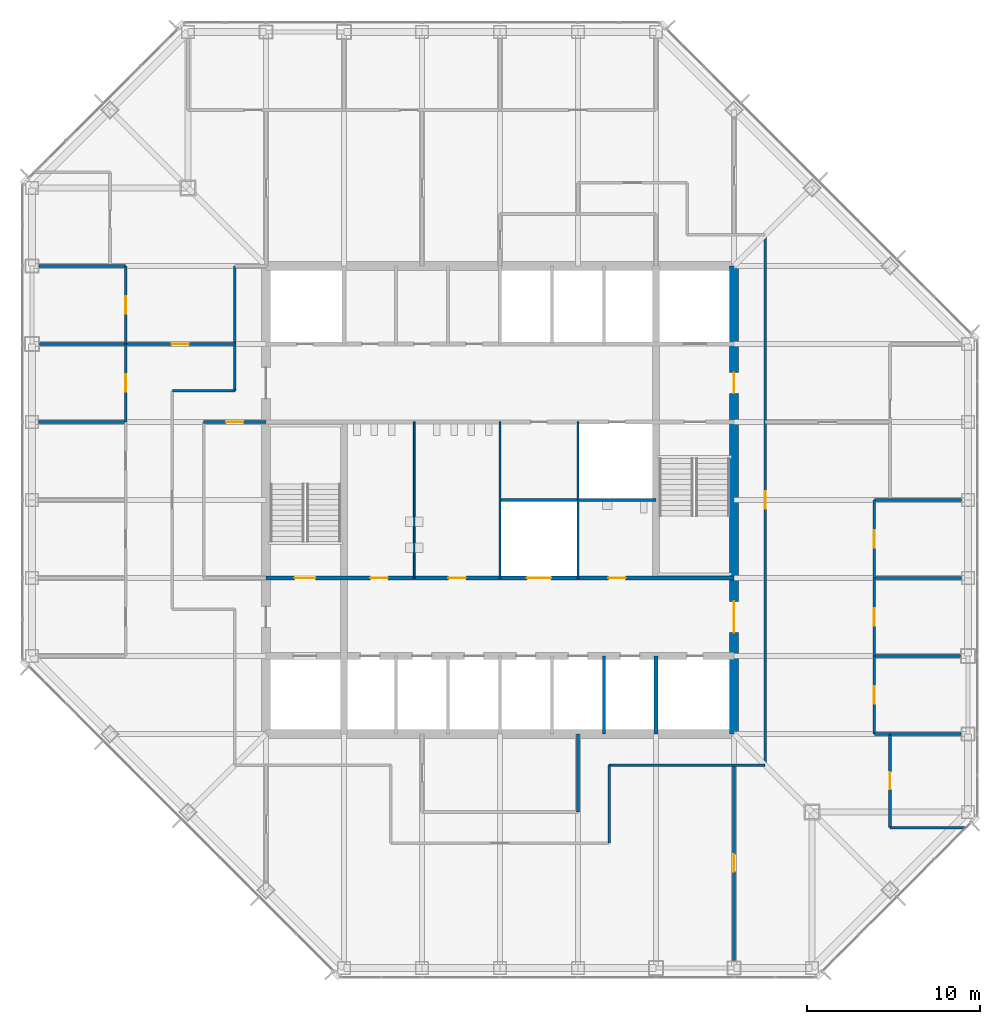
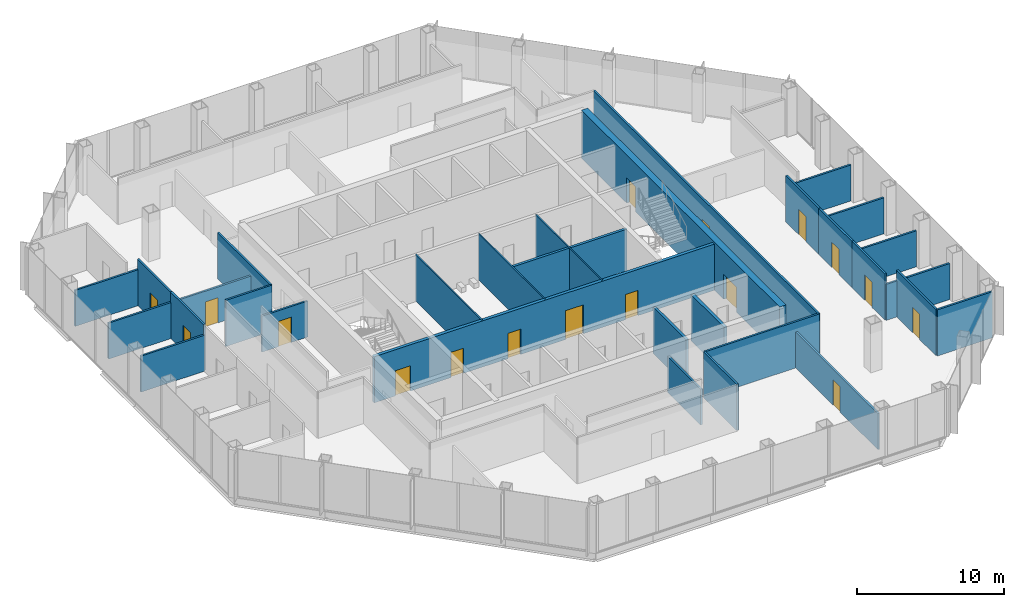
# One storey, part 9 of 13: 32 walls, 17 doors, 17 openings.
"""IFC4 building model written with IfcOpenShell, lengths in metres."""

from ifc_helpers import new_model, si_unit, direction, frame, frame_2d, origin, place, context, subcontext, project, spatial, rectangle, extrude, material, layer, layer_set, type_object, element, fill, save


model = new_model("IFC4")

# Units and contexts
model_context = context("Model", 3, precision=1e-05, world=origin(), true_north=direction((0.0, 1.0)))
body_context = subcontext(model_context, "Body", "Model", "MODEL_VIEW")
ifc_project = project(units=[si_unit("LENGTHUNIT", "METRE"), si_unit("AREAUNIT", "SQUARE_METRE"), si_unit("VOLUMEUNIT", "CUBIC_METRE"), si_unit("PLANEANGLEUNIT", "RADIAN"), si_unit("MASSUNIT", "GRAM", prefix="KILO")], contexts=[model_context])

# Site, building, storey
site_placement = place(None, origin())
site = spatial("IfcSite", under=ifc_project, at=site_placement, CompositionType="ELEMENT")
building_placement = place(site_placement, origin())
building = spatial("IfcBuilding", under=site, at=building_placement, Name="Corais Broadcast Tower", CompositionType="ELEMENT")
storey_placement = place(building_placement, frame((0.0, 0.0, 191.60009765625)))
storey = spatial("IfcBuildingStorey", under=building, at=storey_placement, Name="L44", CompositionType="ELEMENT", Elevation=191.60009765625)

# Wall
ifc_material_1 = material(Name="Concrete blockwork class A, grouted, two-hour", Category="masonry")
ifc_layer_1 = layer(ifc_material_1, 0.25)
ifc_layer_set_1 = layer_set([ifc_layer_1], Name="Concrete blockwork class A, grouted, two-hour")
wall_type_1 = type_object("IfcWallType", Name="Core lobby wall 250", PredefinedType="SOLIDWALL", material=ifc_layer_set_1)
wall_1_placement = place(storey_placement, frame((36.0, 13.5, 0.0), z_axis=(0.0, 0.0, 1.0), x_axis=(0.0, 1.0, 0.0)))
element("IfcWall", 1, at=wall_1_placement, inside=storey, type_object=wall_type_1, Name="CL2 core shaft wall X36A L44", PredefinedType="SOLIDWALL", context=body_context, shape_type="SweptSolid", body=[
    extrude(rectangle(XDim=4.5, YDim=0.25, at=frame_2d((2.25, 0.0))), origin(), (0.0, 0.0, 1.0), 3.83984375),
])

# Wall, openings, doors
wall_2_placement = place(storey_placement, frame((13.5, 22.5, 0.0), z_axis=(0.0, 0.0, 1.0), x_axis=(1.0, 0.0, 0.0)))
wall_2 = element("IfcWall", 2, at=wall_2_placement, inside=storey, type_object=wall_type_1, Name="CL2 core lobby wall Y225 L44", PredefinedType="SOLIDWALL", context=body_context, shape_type="SweptSolid", body=[
    extrude(rectangle(XDim=27.0, YDim=0.25, at=frame_2d((13.5, 0.0))), origin(), (0.0, 0.0, 1.0), 3.83984375),
])
opening_1_placement = place(wall_2_placement, frame((1.64990234375, 0.0, 0.0)))
opening_1 = element("IfcOpeningElement", 3, at=opening_1_placement, cuts=wall_2, Name="Opening FD1", PredefinedType="OPENING", context=body_context, shape_type="SweptSolid", body=[
    extrude(rectangle(XDim=1.199951171875, YDim=2.10009765625, at=frame_2d((0.60009765625, 1.050048828125))), frame((0.0, 0.135009765625, 0.0), z_axis=(0.0, -1.0, 0.0), x_axis=(1.0, 0.0, 0.0)), (0.0, 0.0, 1.0), 0.27001953125),
])
opening_2_placement = place(wall_2_placement, frame((6.02490234375, 0.0, 0.0)))
opening_2 = element("IfcOpeningElement", 4, at=opening_2_placement, cuts=wall_2, Name="Opening WD1", PredefinedType="OPENING", context=body_context, shape_type="SweptSolid", body=[
    extrude(rectangle(XDim=1.0, YDim=2.10009765625, at=frame_2d((0.5, 1.050048828125))), frame((0.0, 0.135009765625, 0.0), z_axis=(0.0, -1.0, 0.0), x_axis=(1.0, 0.0, 0.0)), (0.0, 0.0, 1.0), 0.27001953125),
])
opening_3_placement = place(wall_2_placement, frame((10.52490234375, 0.0, 0.0)))
opening_3 = element("IfcOpeningElement", 5, at=opening_3_placement, cuts=wall_2, Name="Opening WD1", PredefinedType="OPENING", context=body_context, shape_type="SweptSolid", body=[
    extrude(rectangle(XDim=1.0, YDim=2.10009765625, at=frame_2d((0.5, 1.050048828125))), frame((0.0, 0.135009765625, 0.0), z_axis=(0.0, -1.0, 0.0), x_axis=(1.0, 0.0, 0.0)), (0.0, 0.0, 1.0), 0.27001953125),
])
opening_4_placement = place(wall_2_placement, frame((19.75, 0.0, 0.0)))
opening_4 = element("IfcOpeningElement", 6, at=opening_4_placement, cuts=wall_2, Name="Opening WD1", PredefinedType="OPENING", context=body_context, shape_type="SweptSolid", body=[
    extrude(rectangle(XDim=1.0, YDim=2.10009765625, at=frame_2d((0.5, 1.050048828125))), frame((0.0, 0.135009765625, 0.0), z_axis=(0.0, -1.0, 0.0), x_axis=(1.0, 0.0, 0.0)), (0.0, 0.0, 1.0), 0.27001953125),
])
opening_5_placement = place(wall_2_placement, frame((15.050048828125, 0.0, 0.0)))
opening_5 = element("IfcOpeningElement", 7, at=opening_5_placement, cuts=wall_2, Name="Opening LD3", PredefinedType="OPENING", context=body_context, shape_type="SweptSolid", body=[
    extrude(rectangle(XDim=1.39990234375, YDim=2.39990234375, at=frame_2d((0.699951171875, 1.199951171875))), frame((0.0, 0.135009765625, 0.0), z_axis=(0.0, -1.0, 0.0), x_axis=(1.0, 0.0, 0.0)), (0.0, 0.0, 1.0), 0.27001953125),
])
ifc_material_2 = material(Name="Steel fire door", Category="steel")
door_type_1 = type_object("IfcDoorType", Name="Fire door 1200x2100", OperationType="SINGLE_SWING_LEFT", PredefinedType="DOOR", material=ifc_material_2)
door_1_placement = place(opening_1_placement, origin())
door_1 = element("IfcDoor", 8, at=door_1_placement, inside=storey, type_object=door_type_1, Name="FD1 stair A door L44", OperationType="SINGLE_SWING_LEFT", OverallHeight=2.10009765625, OverallWidth=1.199951171875, PredefinedType="DOOR", context=body_context, shape_type="SweptSolid", body=[
    extrude(rectangle(XDim=1.199951171875, YDim=2.10009765625, at=frame_2d((0.60009765625, 1.050048828125))), frame((0.0, 0.02490234375, 0.0), z_axis=(0.0, -1.0, 0.0), x_axis=(1.0, 0.0, 0.0)), (0.0, 0.0, 1.0), 0.050048828125),
])
fill(opening_1, door_1)
ifc_material_3 = material(Name="Stainless steel lift door", Category="steel")
door_type_2 = type_object("IfcDoorType", Name="Service lift landing door 1400x2400", OperationType="SLIDING_TO_LEFT", PredefinedType="DOOR", material=ifc_material_3)
door_2_placement = place(opening_5_placement, origin())
door_2 = element("IfcDoor", 9, at=door_2_placement, inside=storey, type_object=door_type_2, Name="LD3 SL1 landing door L44", OperationType="SLIDING_TO_LEFT", OverallHeight=2.39990234375, OverallWidth=1.39990234375, PredefinedType="DOOR", context=body_context, shape_type="SweptSolid", body=[
    extrude(rectangle(XDim=1.39990234375, YDim=2.39990234375, at=frame_2d((0.699951171875, 1.199951171875))), frame((0.0, 0.02490234375, 0.0), z_axis=(0.0, -1.0, 0.0), x_axis=(1.0, 0.0, 0.0)), (0.0, 0.0, 1.0), 0.050048828125),
])
fill(opening_5, door_2)
ifc_material_4 = material(Name="Timber door", Category="wood")
door_type_3 = type_object("IfcDoorType", Name="Toilet door 1000x2100", OperationType="SINGLE_SWING_LEFT", PredefinedType="DOOR", material=ifc_material_4)
door_3_placement = place(opening_2_placement, origin())
door_3 = element("IfcDoor", 10, at=door_3_placement, inside=storey, type_object=door_type_3, Name="WD1 WC male door L44", OperationType="SINGLE_SWING_LEFT", OverallHeight=2.10009765625, OverallWidth=1.0, PredefinedType="DOOR", context=body_context, shape_type="SweptSolid", body=[
    extrude(rectangle(XDim=1.0, YDim=2.10009765625, at=frame_2d((0.5, 1.050048828125))), frame((0.0, 0.02490234375, 0.0), z_axis=(0.0, -1.0, 0.0), x_axis=(1.0, 0.0, 0.0)), (0.0, 0.0, 1.0), 0.050048828125),
])
fill(opening_2, door_3)
door_4_placement = place(opening_3_placement, origin())
door_4 = element("IfcDoor", 11, at=door_4_placement, inside=storey, type_object=door_type_3, Name="WD1 WC female door L44", OperationType="SINGLE_SWING_LEFT", OverallHeight=2.10009765625, OverallWidth=1.0, PredefinedType="DOOR", context=body_context, shape_type="SweptSolid", body=[
    extrude(rectangle(XDim=1.0, YDim=2.10009765625, at=frame_2d((0.5, 1.050048828125))), frame((0.0, 0.02490234375, 0.0), z_axis=(0.0, -1.0, 0.0), x_axis=(1.0, 0.0, 0.0)), (0.0, 0.0, 1.0), 0.050048828125),
])
fill(opening_3, door_4)
door_5_placement = place(opening_4_placement, origin())
door_5 = element("IfcDoor", 12, at=door_5_placement, inside=storey, type_object=door_type_3, Name="WD1 accessible WC door L44", OperationType="SINGLE_SWING_RIGHT", OverallHeight=2.10009765625, OverallWidth=1.0, PredefinedType="DOOR", context=body_context, shape_type="SweptSolid", body=[
    extrude(rectangle(XDim=1.0, YDim=2.10009765625, at=frame_2d((0.5, 1.050048828125))), frame((0.0, 0.02490234375, 0.0), z_axis=(0.0, -1.0, 0.0), x_axis=(1.0, 0.0, 0.0)), (0.0, 0.0, 1.0), 0.050048828125),
])
fill(opening_4, door_5)

ifc_material_5 = material(Name="Concrete C50/60", Category="concrete")
ifc_layer_2 = layer(ifc_material_5, 0.5)
ifc_layer_set_2 = layer_set([ifc_layer_2], Name="Concrete C50/60")
wall_type_2 = type_object("IfcWallType", Name="Core wall 500", PredefinedType="SHEAR", material=ifc_layer_set_2)
wall_3_placement = place(storey_placement, frame((40.5, 13.5, 0.0), z_axis=(0.0, 0.0, 1.0), x_axis=(0.0, 1.0, 0.0)))
wall_3 = element("IfcWall", 13, at=wall_3_placement, inside=storey, type_object=wall_type_2, Name="CR500 core wall E L44", PredefinedType="SHEAR", context=body_context, shape_type="SweptSolid", body=[
    extrude(rectangle(XDim=27.0, YDim=0.5, at=frame_2d((13.5, 0.0))), origin(), (0.0, 0.0, 1.0), 4.0),
])
opening_6_placement = place(wall_3_placement, frame((5.85009765625, 0.0, 0.0)))
opening_6 = element("IfcOpeningElement", 14, at=opening_6_placement, cuts=wall_3, Name="Opening FD2", PredefinedType="OPENING", context=body_context, shape_type="SweptSolid", body=[
    extrude(rectangle(XDim=1.800048828125, YDim=2.10009765625, at=frame_2d((0.89990234375, 1.050048828125))), frame((0.0, 0.260009765625, 0.0), z_axis=(0.0, -1.0, 0.0), x_axis=(1.0, 0.0, 0.0)), (0.0, 0.0, 1.0), 0.52001953125),
])
opening_7_placement = place(wall_3_placement, frame((19.64990234375, 0.0, 0.0)))
opening_7 = element("IfcOpeningElement", 15, at=opening_7_placement, cuts=wall_3, Name="Opening FD1", PredefinedType="OPENING", context=body_context, shape_type="SweptSolid", body=[
    extrude(rectangle(XDim=1.199951171875, YDim=2.10009765625, at=frame_2d((0.60009765625, 1.050048828125))), frame((0.0, 0.260009765625, 0.0), z_axis=(0.0, -1.0, 0.0), x_axis=(1.0, 0.0, 0.0)), (0.0, 0.0, 1.0), 0.52001953125),
])
door_6_placement = place(opening_7_placement, origin())
door_6 = element("IfcDoor", 16, at=door_6_placement, inside=storey, type_object=door_type_1, Name="FD1 fire lobby B door L44", OperationType="SINGLE_SWING_RIGHT", OverallHeight=2.10009765625, OverallWidth=1.199951171875, PredefinedType="DOOR", context=body_context, shape_type="SweptSolid", body=[
    extrude(rectangle(XDim=1.199951171875, YDim=2.10009765625, at=frame_2d((0.60009765625, 1.050048828125))), frame((0.0, 0.02490234375, 0.0), z_axis=(0.0, -1.0, 0.0), x_axis=(1.0, 0.0, 0.0)), (0.0, 0.0, 1.0), 0.050048828125),
])
fill(opening_7, door_6)
ifc_material_6 = material(Name="Steel fire door", Category="steel")
door_type_4 = type_object("IfcDoorType", Name="Fire door pair 1800x2100", OperationType="DOUBLE_DOOR_SINGLE_SWING", PredefinedType="DOOR", material=ifc_material_6)
door_7_placement = place(opening_6_placement, origin())
door_7 = element("IfcDoor", 17, at=door_7_placement, inside=storey, type_object=door_type_4, Name="FD2 lift lobby door L44", OperationType="SINGLE_SWING_LEFT", OverallHeight=2.10009765625, OverallWidth=1.800048828125, PredefinedType="DOOR", context=body_context, shape_type="SweptSolid", body=[
    extrude(rectangle(XDim=1.800048828125, YDim=2.10009765625, at=frame_2d((0.89990234375, 1.050048828125))), frame((0.0, 0.02490234375, 0.0), z_axis=(0.0, -1.0, 0.0), x_axis=(1.0, 0.0, 0.0)), (0.0, 0.0, 1.0), 0.050048828125),
])
fill(opening_6, door_7)

# Wall, opening, door
ifc_material_7 = material(Name="Gypsum board on steel studs", Category="steel")
ifc_layer_3 = layer(ifc_material_7, 0.14990234375)
ifc_layer_set_3 = layer_set([ifc_layer_3], Name="Gypsum board on steel studs")
wall_type_3 = type_object("IfcWallType", Name="Partition 150", PredefinedType="PARTITIONING", material=ifc_layer_set_3)
wall_4_placement = place(storey_placement, frame((42.300048828125, 11.699951171875, 0.0), z_axis=(0.0, 0.0, 1.0), x_axis=(0.0, 1.0, 0.0)))
wall_4 = element("IfcWall", 18, at=wall_4_placement, inside=storey, type_object=wall_type_3, Name="IW3 corridor wall L44", PredefinedType="PARTITIONING", context=body_context, shape_type="SweptSolid", body=[
    extrude(rectangle(XDim=30.60009765625, YDim=0.14990234375, at=frame_2d((15.300048828125, 0.0))), origin(), (0.0, 0.0, 1.0), 3.83984375),
])
opening_8_placement = place(wall_4_placement, frame((14.800048828125, 0.0, 0.0)))
opening_8 = element("IfcOpeningElement", 19, at=opening_8_placement, cuts=wall_4, Name="Opening D1", PredefinedType="OPENING", context=body_context, shape_type="SweptSolid", body=[
    extrude(rectangle(XDim=1.0, YDim=2.10009765625, at=frame_2d((0.5, 1.050048828125))), frame((0.0, 0.0849609375, 0.0), z_axis=(0.0, -1.0, 0.0), x_axis=(1.0, 0.0, 0.0)), (0.0, 0.0, 1.0), 0.169921875),
])
ifc_material_8 = material(Name="Timber door", Category="wood")
door_type_5 = type_object("IfcDoorType", Name="Single door 1000x2100", OperationType="SINGLE_SWING_LEFT", PredefinedType="DOOR", material=ifc_material_8)
door_8_placement = place(opening_8_placement, origin())
door_8 = element("IfcDoor", 20, at=door_8_placement, inside=storey, type_object=door_type_5, Name="D1 workplace door L44", OperationType="SINGLE_SWING_LEFT", OverallHeight=2.10009765625, OverallWidth=1.0, PredefinedType="DOOR", context=body_context, shape_type="SweptSolid", body=[
    extrude(rectangle(XDim=1.0, YDim=2.10009765625, at=frame_2d((0.5, 1.050048828125))), frame((0.0, 0.02490234375, 0.0), z_axis=(0.0, -1.0, 0.0), x_axis=(1.0, 0.0, 0.0)), (0.0, 0.0, 1.0), 0.050048828125),
])
fill(opening_8, door_8)

# Walls
wall_5_placement = place(storey_placement, frame((33.300048828125, 11.699951171875, 0.0), z_axis=(0.0, 0.0, 1.0), x_axis=(1.0, 0.0, 0.0)))
element("IfcWall", 21, at=wall_5_placement, inside=storey, type_object=wall_type_3, Name="IW3 corridor wall L44", PredefinedType="PARTITIONING", context=body_context, shape_type="SweptSolid", body=[
    extrude(rectangle(XDim=9.0, YDim=0.14990234375, at=frame_2d((4.5, 0.0))), origin(), (0.0, 0.0, 1.0), 3.83984375),
])
wall_6_placement = place(storey_placement, frame((11.699951171875, 40.5, 0.0), z_axis=(0.0, 0.0, 1.0), x_axis=(0.0, -1.0, 0.0)))
element("IfcWall", 22, at=wall_6_placement, inside=storey, type_object=wall_type_3, Name="IW3 corridor wall L44", PredefinedType="PARTITIONING", context=body_context, shape_type="SweptSolid", body=[
    extrude(rectangle(XDim=7.199951171875, YDim=0.14990234375, at=frame_2d((3.60009765625, 0.0))), origin(), (0.0, 0.0, 1.0), 3.83984375),
])
wall_7_placement = place(storey_placement, frame((33.300048828125, 7.199951171875, 0.0), z_axis=(0.0, 0.0, 1.0), x_axis=(0.0, 1.0, 0.0)))
element("IfcWall", 23, at=wall_7_placement, inside=storey, type_object=wall_type_3, Name="IW3 corridor wall L44", PredefinedType="PARTITIONING", context=body_context, shape_type="SweptSolid", body=[
    extrude(rectangle(XDim=4.5, YDim=0.14990234375, at=frame_2d((2.25, 0.0))), origin(), (0.0, 0.0, 1.0), 3.83984375),
])
wall_8_placement = place(storey_placement, frame((11.699951171875, 33.300048828125, 0.0), z_axis=(0.0, 0.0, 1.0), x_axis=(-1.0, 0.0, 0.0)))
element("IfcWall", 24, at=wall_8_placement, inside=storey, type_object=wall_type_3, Name="IW3 corridor wall L44", PredefinedType="PARTITIONING", context=body_context, shape_type="SweptSolid", body=[
    extrude(rectangle(XDim=3.599853515625, YDim=0.14990234375, at=frame_2d((1.7998046875, 0.0))), origin(), (0.0, 0.0, 1.0), 3.83984375),
])
wall_9_placement = place(storey_placement, frame((49.5, 8.10009765625, 0.0), z_axis=(0.0, 0.0, 1.0), x_axis=(1.0, 0.0, 0.0)))
element("IfcWall", 25, at=wall_9_placement, inside=storey, type_object=wall_type_3, Name="IW3 partition L44", PredefinedType="PARTITIONING", context=body_context, shape_type="SweptSolid", body=[
    extrude(rectangle(XDim=4.33544921875, YDim=0.14990234375, at=frame_2d((2.167724609375, 0.0))), origin(), (0.0, 0.0, 1.0), 3.83984375),
])
wall_10_placement = place(storey_placement, frame((53.590087890625, 13.5, 0.0), z_axis=(0.0, 0.0, 1.0), x_axis=(-1.0, 0.0, 0.0)))
element("IfcWall", 26, at=wall_10_placement, inside=storey, type_object=wall_type_3, Name="IW3 partition L44", PredefinedType="PARTITIONING", context=body_context, shape_type="SweptSolid", body=[
    extrude(rectangle(XDim=4.090087890625, YDim=0.14990234375, at=frame_2d((2.044921875, 0.0))), origin(), (0.0, 0.0, 1.0), 2.989013671875),
])

# Wall, opening, door
wall_11_placement = place(storey_placement, frame((49.5, 13.5, 0.0), z_axis=(0.0, 0.0, 1.0), x_axis=(0.0, -1.0, 0.0)))
wall_11 = element("IfcWall", 27, at=wall_11_placement, inside=storey, type_object=wall_type_3, Name="IW3 partition L44", PredefinedType="PARTITIONING", context=body_context, shape_type="SweptSolid", body=[
    extrude(rectangle(XDim=5.39990234375, YDim=0.14990234375, at=frame_2d((2.699951171875, 0.0))), origin(), (0.0, 0.0, 1.0), 3.83984375),
])
opening_9_placement = place(wall_11_placement, frame((2.199951171875, 0.0, 0.0)))
opening_9 = element("IfcOpeningElement", 28, at=opening_9_placement, cuts=wall_11, Name="Opening D1", PredefinedType="OPENING", context=body_context, shape_type="SweptSolid", body=[
    extrude(rectangle(XDim=1.0, YDim=2.10009765625, at=frame_2d((0.5, 1.050048828125))), frame((0.0, 0.0849609375, 0.0), z_axis=(0.0, -1.0, 0.0), x_axis=(1.0, 0.0, 0.0)), (0.0, 0.0, 1.0), 0.169921875),
])
door_9_placement = place(opening_9_placement, origin())
door_9 = element("IfcDoor", 29, at=door_9_placement, inside=storey, type_object=door_type_5, Name="D1 Counselling room door", OperationType="SINGLE_SWING_LEFT", OverallHeight=2.10009765625, OverallWidth=1.0, PredefinedType="DOOR", context=body_context, shape_type="SweptSolid", body=[
    extrude(rectangle(XDim=1.0, YDim=2.10009765625, at=frame_2d((0.5, 1.050048828125))), frame((0.0, 0.02490234375, 0.0), z_axis=(0.0, -1.0, 0.0), x_axis=(1.0, 0.0, 0.0)), (0.0, 0.0, 1.0), 0.050048828125),
])
fill(opening_9, door_9)

# Walls
wall_12_placement = place(storey_placement, frame((48.60009765625, 13.5, 0.0), z_axis=(0.0, 0.0, 1.0), x_axis=(1.0, 0.0, 0.0)))
element("IfcWall", 30, at=wall_12_placement, inside=storey, type_object=wall_type_3, Name="IW3 partition L44", PredefinedType="PARTITIONING", context=body_context, shape_type="SweptSolid", body=[
    extrude(rectangle(XDim=0.89990234375, YDim=0.14990234375, at=frame_2d((0.449951171875, 0.0))), origin(), (0.0, 0.0, 1.0), 2.989013671875),
])
wall_13_placement = place(storey_placement, frame((53.56494140625, 18.0, 0.0), z_axis=(0.0, 0.0, 1.0), x_axis=(-1.0, 0.0, 0.0)))
element("IfcWall", 31, at=wall_13_placement, inside=storey, type_object=wall_type_3, Name="IW3 partition L44", PredefinedType="PARTITIONING", context=body_context, shape_type="SweptSolid", body=[
    extrude(rectangle(XDim=4.96484375, YDim=0.14990234375, at=frame_2d((2.482421875, 0.0))), origin(), (0.0, 0.0, 1.0), 2.989013671875),
])

# Wall, opening, door
wall_14_placement = place(storey_placement, frame((48.60009765625, 18.0, 0.0), z_axis=(0.0, 0.0, 1.0), x_axis=(0.0, -1.0, 0.0)))
wall_14 = element("IfcWall", 32, at=wall_14_placement, inside=storey, type_object=wall_type_3, Name="IW3 partition L44", PredefinedType="PARTITIONING", context=body_context, shape_type="SweptSolid", body=[
    extrude(rectangle(XDim=4.5, YDim=0.14990234375, at=frame_2d((2.25, 0.0))), origin(), (0.0, 0.0, 1.0), 3.83984375),
])
opening_10_placement = place(wall_14_placement, frame((1.75, 0.0, 0.0)))
opening_10 = element("IfcOpeningElement", 33, at=opening_10_placement, cuts=wall_14, Name="Opening D1", PredefinedType="OPENING", context=body_context, shape_type="SweptSolid", body=[
    extrude(rectangle(XDim=1.0, YDim=2.10009765625, at=frame_2d((0.5, 1.050048828125))), frame((0.0, 0.0849609375, 0.0), z_axis=(0.0, -1.0, 0.0), x_axis=(1.0, 0.0, 0.0)), (0.0, 0.0, 1.0), 0.169921875),
])
door_10_placement = place(opening_10_placement, origin())
door_10 = element("IfcDoor", 34, at=door_10_placement, inside=storey, type_object=door_type_5, Name="D1 Counselling room door", OperationType="SINGLE_SWING_LEFT", OverallHeight=2.10009765625, OverallWidth=1.0, PredefinedType="DOOR", context=body_context, shape_type="SweptSolid", body=[
    extrude(rectangle(XDim=1.0, YDim=2.10009765625, at=frame_2d((0.5, 1.050048828125))), frame((0.0, 0.02490234375, 0.0), z_axis=(0.0, -1.0, 0.0), x_axis=(1.0, 0.0, 0.0)), (0.0, 0.0, 1.0), 0.050048828125),
])
fill(opening_10, door_10)

# Wall
wall_15_placement = place(storey_placement, frame((53.614990234375, 22.5, 0.0), z_axis=(0.0, 0.0, 1.0), x_axis=(-1.0, 0.0, 0.0)))
element("IfcWall", 35, at=wall_15_placement, inside=storey, type_object=wall_type_3, Name="IW3 partition L44", PredefinedType="PARTITIONING", context=body_context, shape_type="SweptSolid", body=[
    extrude(rectangle(XDim=5.014892578125, YDim=0.14990234375, at=frame_2d((2.50732421875, 0.0))), origin(), (0.0, 0.0, 1.0), 2.989013671875),
])

# Wall, opening, door
wall_16_placement = place(storey_placement, frame((48.60009765625, 22.5, 0.0), z_axis=(0.0, 0.0, 1.0), x_axis=(0.0, -1.0, 0.0)))
wall_16 = element("IfcWall", 36, at=wall_16_placement, inside=storey, type_object=wall_type_3, Name="IW3 partition L44", PredefinedType="PARTITIONING", context=body_context, shape_type="SweptSolid", body=[
    extrude(rectangle(XDim=4.5, YDim=0.14990234375, at=frame_2d((2.25, 0.0))), origin(), (0.0, 0.0, 1.0), 3.83984375),
])
opening_11_placement = place(wall_16_placement, frame((1.75, 0.0, 0.0)))
opening_11 = element("IfcOpeningElement", 37, at=opening_11_placement, cuts=wall_16, Name="Opening D1", PredefinedType="OPENING", context=body_context, shape_type="SweptSolid", body=[
    extrude(rectangle(XDim=1.0, YDim=2.10009765625, at=frame_2d((0.5, 1.050048828125))), frame((0.0, 0.0849609375, 0.0), z_axis=(0.0, -1.0, 0.0), x_axis=(1.0, 0.0, 0.0)), (0.0, 0.0, 1.0), 0.169921875),
])
door_11_placement = place(opening_11_placement, origin())
door_11 = element("IfcDoor", 38, at=door_11_placement, inside=storey, type_object=door_type_5, Name="D1 Counselling room door", OperationType="SINGLE_SWING_LEFT", OverallHeight=2.10009765625, OverallWidth=1.0, PredefinedType="DOOR", context=body_context, shape_type="SweptSolid", body=[
    extrude(rectangle(XDim=1.0, YDim=2.10009765625, at=frame_2d((0.5, 1.050048828125))), frame((0.0, 0.02490234375, 0.0), z_axis=(0.0, -1.0, 0.0), x_axis=(1.0, 0.0, 0.0)), (0.0, 0.0, 1.0), 0.050048828125),
])
fill(opening_11, door_11)

# Wall
wall_17_placement = place(storey_placement, frame((53.614990234375, 27.0, 0.0), z_axis=(0.0, 0.0, 1.0), x_axis=(-1.0, 0.0, 0.0)))
element("IfcWall", 39, at=wall_17_placement, inside=storey, type_object=wall_type_3, Name="IW3 partition L44", PredefinedType="PARTITIONING", context=body_context, shape_type="SweptSolid", body=[
    extrude(rectangle(XDim=5.014892578125, YDim=0.14990234375, at=frame_2d((2.50732421875, 0.0))), origin(), (0.0, 0.0, 1.0), 2.989013671875),
])

# Wall, opening, door
wall_18_placement = place(storey_placement, frame((48.60009765625, 27.0, 0.0), z_axis=(0.0, 0.0, 1.0), x_axis=(0.0, -1.0, 0.0)))
wall_18 = element("IfcWall", 40, at=wall_18_placement, inside=storey, type_object=wall_type_3, Name="IW3 partition L44", PredefinedType="PARTITIONING", context=body_context, shape_type="SweptSolid", body=[
    extrude(rectangle(XDim=4.5, YDim=0.14990234375, at=frame_2d((2.25, 0.0))), origin(), (0.0, 0.0, 1.0), 3.83984375),
])
opening_12_placement = place(wall_18_placement, frame((1.75, 0.0, 0.0)))
opening_12 = element("IfcOpeningElement", 41, at=opening_12_placement, cuts=wall_18, Name="Opening D1", PredefinedType="OPENING", context=body_context, shape_type="SweptSolid", body=[
    extrude(rectangle(XDim=1.0, YDim=2.10009765625, at=frame_2d((0.5, 1.050048828125))), frame((0.0, 0.0849609375, 0.0), z_axis=(0.0, -1.0, 0.0), x_axis=(1.0, 0.0, 0.0)), (0.0, 0.0, 1.0), 0.169921875),
])
door_12_placement = place(opening_12_placement, origin())
door_12 = element("IfcDoor", 42, at=door_12_placement, inside=storey, type_object=door_type_5, Name="D1 Counselling room door", OperationType="SINGLE_SWING_LEFT", OverallHeight=2.10009765625, OverallWidth=1.0, PredefinedType="DOOR", context=body_context, shape_type="SweptSolid", body=[
    extrude(rectangle(XDim=1.0, YDim=2.10009765625, at=frame_2d((0.5, 1.050048828125))), frame((0.0, 0.02490234375, 0.0), z_axis=(0.0, -1.0, 0.0), x_axis=(1.0, 0.0, 0.0)), (0.0, 0.0, 1.0), 0.050048828125),
])
fill(opening_12, door_12)

wall_19_placement = place(storey_placement, frame((13.5, 31.5, 0.0), z_axis=(0.0, 0.0, 1.0), x_axis=(-1.0, 0.0, 0.0)))
wall_19 = element("IfcWall", 43, at=wall_19_placement, inside=storey, type_object=wall_type_3, Name="IW3 partition L44", PredefinedType="PARTITIONING", context=body_context, shape_type="SweptSolid", body=[
    extrude(rectangle(XDim=3.60009765625, YDim=0.14990234375, at=frame_2d((1.800048828125, 0.0))), origin(), (0.0, 0.0, 1.0), 2.989013671875),
])
opening_13_placement = place(wall_19_placement, frame((1.300048828125, 0.0, 0.0)))
opening_13 = element("IfcOpeningElement", 44, at=opening_13_placement, cuts=wall_19, Name="Opening D1", PredefinedType="OPENING", context=body_context, shape_type="SweptSolid", body=[
    extrude(rectangle(XDim=1.0, YDim=2.10009765625, at=frame_2d((0.5, 1.050048828125))), frame((0.0, 0.0849609375, 0.0), z_axis=(0.0, -1.0, 0.0), x_axis=(1.0, 0.0, 0.0)), (0.0, 0.0, 1.0), 0.169921875),
])
door_13_placement = place(opening_13_placement, origin())
door_13 = element("IfcDoor", 45, at=door_13_placement, inside=storey, type_object=door_type_5, Name="D1 Pantry door", OperationType="SINGLE_SWING_LEFT", OverallHeight=2.10009765625, OverallWidth=1.0, PredefinedType="DOOR", context=body_context, shape_type="SweptSolid", body=[
    extrude(rectangle(XDim=1.0, YDim=2.10009765625, at=frame_2d((0.5, 1.050048828125))), frame((0.0, 0.02490234375, 0.0), z_axis=(0.0, -1.0, 0.0), x_axis=(1.0, 0.0, 0.0)), (0.0, 0.0, 1.0), 0.050048828125),
])
fill(opening_13, door_13)

# Walls
wall_20_placement = place(storey_placement, frame((31.5, 9.0, 0.0), z_axis=(0.0, 0.0, 1.0), x_axis=(0.0, 1.0, 0.0)))
element("IfcWall", 46, at=wall_20_placement, inside=storey, type_object=wall_type_3, Name="IW3 partition L44", PredefinedType="PARTITIONING", context=body_context, shape_type="SweptSolid", body=[
    extrude(rectangle(XDim=4.5, YDim=0.14990234375, at=frame_2d((2.25, 0.0))), origin(), (0.0, 0.0, 1.0), 2.989013671875),
])
wall_21_placement = place(storey_placement, frame((5.39990234375, 31.5, 0.0), z_axis=(0.0, 0.0, 1.0), x_axis=(-1.0, 0.0, 0.0)))
element("IfcWall", 47, at=wall_21_placement, inside=storey, type_object=wall_type_3, Name="IW3 partition L44", PredefinedType="PARTITIONING", context=body_context, shape_type="SweptSolid", body=[
    extrude(rectangle(XDim=5.014892578125, YDim=0.14990234375, at=frame_2d((2.50732421875, 0.0))), origin(), (0.0, 0.0, 1.0), 2.989013671875),
])

# Wall, opening, door
wall_22_placement = place(storey_placement, frame((5.39990234375, 31.5, 0.0), z_axis=(0.0, 0.0, 1.0), x_axis=(0.0, 1.0, 0.0)))
wall_22 = element("IfcWall", 48, at=wall_22_placement, inside=storey, type_object=wall_type_3, Name="IW3 partition L44", PredefinedType="PARTITIONING", context=body_context, shape_type="SweptSolid", body=[
    extrude(rectangle(XDim=4.5, YDim=0.14990234375, at=frame_2d((2.25, 0.0))), origin(), (0.0, 0.0, 1.0), 3.83984375),
])
opening_14_placement = place(wall_22_placement, frame((1.75, 0.0, 0.0)))
opening_14 = element("IfcOpeningElement", 49, at=opening_14_placement, cuts=wall_22, Name="Opening D1", PredefinedType="OPENING", context=body_context, shape_type="SweptSolid", body=[
    extrude(rectangle(XDim=1.0, YDim=2.10009765625, at=frame_2d((0.5, 1.050048828125))), frame((0.0, 0.0849609375, 0.0), z_axis=(0.0, -1.0, 0.0), x_axis=(1.0, 0.0, 0.0)), (0.0, 0.0, 1.0), 0.169921875),
])
door_14_placement = place(opening_14_placement, origin())
door_14 = element("IfcDoor", 50, at=door_14_placement, inside=storey, type_object=door_type_5, Name="D1 Treatment room door", OperationType="SINGLE_SWING_LEFT", OverallHeight=2.10009765625, OverallWidth=1.0, PredefinedType="DOOR", context=body_context, shape_type="SweptSolid", body=[
    extrude(rectangle(XDim=1.0, YDim=2.10009765625, at=frame_2d((0.5, 1.050048828125))), frame((0.0, 0.02490234375, 0.0), z_axis=(0.0, -1.0, 0.0), x_axis=(1.0, 0.0, 0.0)), (0.0, 0.0, 1.0), 0.050048828125),
])
fill(opening_14, door_14)

# Wall
wall_23_placement = place(storey_placement, frame((5.39990234375, 36.0, 0.0), z_axis=(0.0, 0.0, 1.0), x_axis=(-1.0, 0.0, 0.0)))
element("IfcWall", 51, at=wall_23_placement, inside=storey, type_object=wall_type_3, Name="IW3 partition L44", PredefinedType="PARTITIONING", context=body_context, shape_type="SweptSolid", body=[
    extrude(rectangle(XDim=4.96484375, YDim=0.14990234375, at=frame_2d((2.482421875, 0.0))), origin(), (0.0, 0.0, 1.0), 2.989013671875),
])

# Wall, opening, door
wall_24_placement = place(storey_placement, frame((5.39990234375, 36.0, 0.0), z_axis=(0.0, 0.0, 1.0), x_axis=(0.0, 1.0, 0.0)))
wall_24 = element("IfcWall", 52, at=wall_24_placement, inside=storey, type_object=wall_type_3, Name="IW3 partition L44", PredefinedType="PARTITIONING", context=body_context, shape_type="SweptSolid", body=[
    extrude(rectangle(XDim=4.5, YDim=0.14990234375, at=frame_2d((2.25, 0.0))), origin(), (0.0, 0.0, 1.0), 3.83984375),
])
opening_15_placement = place(wall_24_placement, frame((1.75, 0.0, 0.0)))
opening_15 = element("IfcOpeningElement", 53, at=opening_15_placement, cuts=wall_24, Name="Opening D1", PredefinedType="OPENING", context=body_context, shape_type="SweptSolid", body=[
    extrude(rectangle(XDim=1.0, YDim=2.10009765625, at=frame_2d((0.5, 1.050048828125))), frame((0.0, 0.0849609375, 0.0), z_axis=(0.0, -1.0, 0.0), x_axis=(1.0, 0.0, 0.0)), (0.0, 0.0, 1.0), 0.169921875),
])
door_15_placement = place(opening_15_placement, origin())
door_15 = element("IfcDoor", 54, at=door_15_placement, inside=storey, type_object=door_type_5, Name="D1 Treatment room door", OperationType="SINGLE_SWING_LEFT", OverallHeight=2.10009765625, OverallWidth=1.0, PredefinedType="DOOR", context=body_context, shape_type="SweptSolid", body=[
    extrude(rectangle(XDim=1.0, YDim=2.10009765625, at=frame_2d((0.5, 1.050048828125))), frame((0.0, 0.02490234375, 0.0), z_axis=(0.0, -1.0, 0.0), x_axis=(1.0, 0.0, 0.0)), (0.0, 0.0, 1.0), 0.050048828125),
])
fill(opening_15, door_15)

# Wall
wall_25_placement = place(storey_placement, frame((5.39990234375, 40.5, 0.0), z_axis=(0.0, 0.0, 1.0), x_axis=(-1.0, 0.0, 0.0)))
element("IfcWall", 55, at=wall_25_placement, inside=storey, type_object=wall_type_3, Name="IW3 partition L44", PredefinedType="PARTITIONING", context=body_context, shape_type="SweptSolid", body=[
    extrude(rectangle(XDim=4.989990234375, YDim=0.14990234375, at=frame_2d((2.4951171875, 0.0))), origin(), (0.0, 0.0, 1.0), 2.989013671875),
])

# Wall, opening, door
wall_26_placement = place(storey_placement, frame((40.5, 0.419921875, 0.0), z_axis=(0.0, 0.0, 1.0), x_axis=(0.0, 1.0, 0.0)))
wall_26 = element("IfcWall", 56, at=wall_26_placement, inside=storey, type_object=wall_type_3, Name="IW3 partition L44", PredefinedType="PARTITIONING", context=body_context, shape_type="SweptSolid", body=[
    extrude(rectangle(XDim=11.280029296875, YDim=0.14990234375, at=frame_2d((5.64013671875, 0.0))), origin(), (0.0, 0.0, 1.0), 2.989013671875),
])
opening_16_placement = place(wall_26_placement, frame((5.139892578125, 0.0, 0.0)))
opening_16 = element("IfcOpeningElement", 57, at=opening_16_placement, cuts=wall_26, Name="Opening D1", PredefinedType="OPENING", context=body_context, shape_type="SweptSolid", body=[
    extrude(rectangle(XDim=1.0, YDim=2.10009765625, at=frame_2d((0.5, 1.050048828125))), frame((0.0, 0.0849609375, 0.0), z_axis=(0.0, -1.0, 0.0), x_axis=(1.0, 0.0, 0.0)), (0.0, 0.0, 1.0), 0.169921875),
])
door_16_placement = place(opening_16_placement, origin())
door_16 = element("IfcDoor", 58, at=door_16_placement, inside=storey, type_object=door_type_5, Name="D1 team room door L44", OperationType="SINGLE_SWING_LEFT", OverallHeight=2.10009765625, OverallWidth=1.0, PredefinedType="DOOR", context=body_context, shape_type="SweptSolid", body=[
    extrude(rectangle(XDim=1.0, YDim=2.10009765625, at=frame_2d((0.5, 1.050048828125))), frame((0.0, 0.02490234375, 0.0), z_axis=(0.0, -1.0, 0.0), x_axis=(1.0, 0.0, 0.0)), (0.0, 0.0, 1.0), 0.050048828125),
])
fill(opening_16, door_16)

wall_27_placement = place(storey_placement, frame((5.39990234375, 36.0, 0.0), z_axis=(0.0, 0.0, 1.0), x_axis=(1.0, 0.0, 0.0)))
wall_27 = element("IfcWall", 59, at=wall_27_placement, inside=storey, type_object=wall_type_3, Name="IW3 partition L44", PredefinedType="PARTITIONING", context=body_context, shape_type="SweptSolid", body=[
    extrude(rectangle(XDim=6.300048828125, YDim=0.14990234375, at=frame_2d((3.14990234375, 0.0))), origin(), (0.0, 0.0, 1.0), 2.989013671875),
])
opening_17_placement = place(wall_27_placement, frame((2.64990234375, 0.0, 0.0)))
opening_17 = element("IfcOpeningElement", 60, at=opening_17_placement, cuts=wall_27, Name="Opening D1", PredefinedType="OPENING", context=body_context, shape_type="SweptSolid", body=[
    extrude(rectangle(XDim=1.0, YDim=2.10009765625, at=frame_2d((0.5, 1.050048828125))), frame((0.0, 0.0849609375, 0.0), z_axis=(0.0, -1.0, 0.0), x_axis=(1.0, 0.0, 0.0)), (0.0, 0.0, 1.0), 0.169921875),
])
door_17_placement = place(opening_17_placement, origin())
door_17 = element("IfcDoor", 61, at=door_17_placement, inside=storey, type_object=door_type_5, Name="D1 team room door L44", OperationType="SINGLE_SWING_LEFT", OverallHeight=2.10009765625, OverallWidth=1.0, PredefinedType="DOOR", context=body_context, shape_type="SweptSolid", body=[
    extrude(rectangle(XDim=1.0, YDim=2.10009765625, at=frame_2d((0.5, 1.050048828125))), frame((0.0, 0.02490234375, 0.0), z_axis=(0.0, -1.0, 0.0), x_axis=(1.0, 0.0, 0.0)), (0.0, 0.0, 1.0), 0.050048828125),
])
fill(opening_17, door_17)

# Walls
ifc_material_9 = material(Name="Concrete blockwork class A, grouted, two-hour", Category="masonry")
ifc_layer_4 = layer(ifc_material_9, 0.199951171875)
ifc_layer_set_4 = layer_set([ifc_layer_4], Name="Concrete blockwork class A, grouted, two-hour")
wall_type_4 = type_object("IfcWallType", Name="Shaft wall 200", PredefinedType="PARTITIONING", material=ifc_layer_set_4)
wall_28_placement = place(storey_placement, frame((33.0, 13.5, 0.0), z_axis=(0.0, 0.0, 1.0), x_axis=(0.0, 1.0, 0.0)))
element("IfcWall", 62, at=wall_28_placement, inside=storey, type_object=wall_type_4, Name="IW1 shaft wall L44", PredefinedType="PARTITIONING", context=body_context, shape_type="SweptSolid", body=[
    extrude(rectangle(XDim=4.5, YDim=0.199951171875, at=frame_2d((2.25, 0.0))), origin(), (0.0, 0.0, 1.0), 3.83984375),
])
wall_29_placement = place(storey_placement, frame((27.0, 27.0, 0.0), z_axis=(0.0, 0.0, 1.0), x_axis=(1.0, 0.0, 0.0)))
element("IfcWall", 63, at=wall_29_placement, inside=storey, type_object=wall_type_4, Name="IW1 shaft wall L44", PredefinedType="PARTITIONING", context=body_context, shape_type="SweptSolid", body=[
    extrude(rectangle(XDim=9.0, YDim=0.199951171875, at=frame_2d((4.5, 0.0))), origin(), (0.0, 0.0, 1.0), 3.83984375),
])
ifc_material_10 = material(Name="Dense concrete blockwork class A, tiled both faces", Category="masonry")
ifc_layer_5 = layer(ifc_material_10, 0.10009765625)
ifc_layer_set_5 = layer_set([ifc_layer_5], Name="Dense concrete blockwork class A, tiled both faces")
wall_type_5 = type_object("IfcWallType", Name="Toilet wall 100", PredefinedType="PLUMBINGWALL", material=ifc_layer_set_5)
for number, where, z_axis, x_axis, name in (
    (64, (22.050048828125, 22.5, 0.0), (0.0, 0.0, 1.0), (0.0, 1.0, 0.0), "IW2 toilet wall L44"),
    (65, (27.0, 22.5, 0.0), (0.0, 0.0, 1.0), (0.0, 1.0, 0.0), "IW2 toilet wall L44"),
    (66, (31.5, 22.5, 0.0), (0.0, 0.0, 1.0), (0.0, 1.0, 0.0), "IW2 toilet wall L44"),
):
    element("IfcWall", number, at=place(storey_placement, frame(where, z_axis=z_axis, x_axis=x_axis)), inside=storey, type_object=wall_type_5, Name=name, PredefinedType="PLUMBINGWALL", context=body_context, shape_type="SweptSolid", body=[
        extrude(rectangle(XDim=9.0, YDim=0.10009765625, at=frame_2d((4.5, 0.0))), origin(), (0.0, 0.0, 1.0), 3.83984375),
    ])

save(model, "model.ifc")
